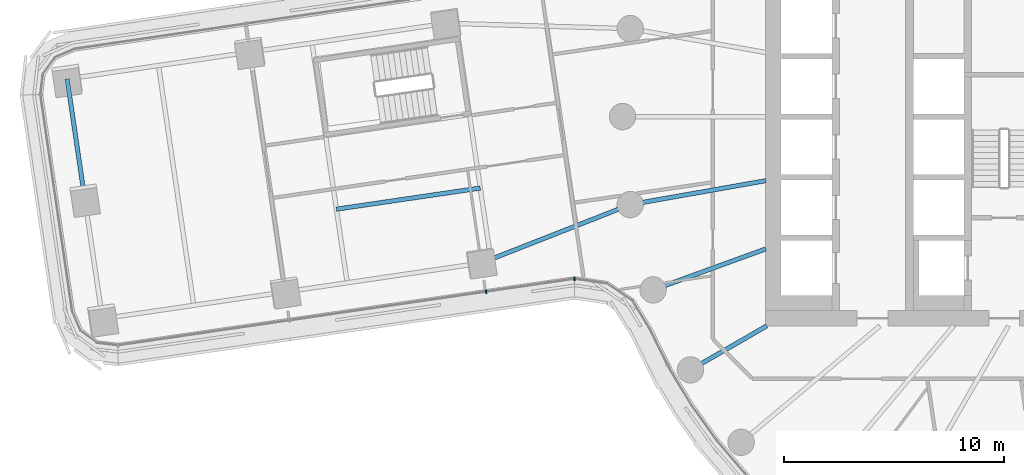
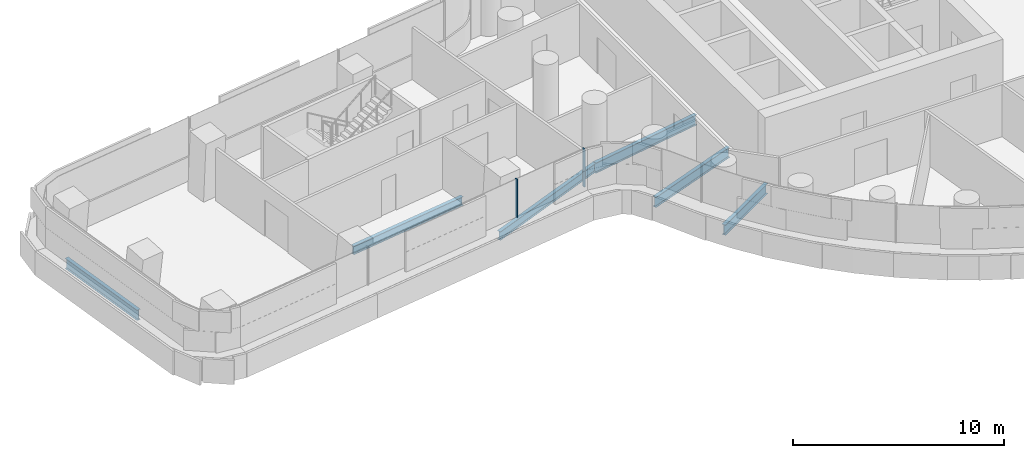
# One storey, part 5 of 31: 6 beams, 2 members, 2 elements without a shape of their own.
"""IFC4 building model written with IfcOpenShell, lengths in metres."""

from ifc_helpers import new_model, si_unit, direction, frame, origin, origin_2d, place, context, subcontext, project, spatial, rectangle, i_section, extrude, material, layer, layer_set, material_profile, profile_set, type_object, element, aggregate, save


model = new_model("IFC4")

# Units and contexts
model_context = context("Model", 3, precision=1e-05, world=origin(), true_north=direction((0.0, 1.0)))
body_context = subcontext(model_context, "Body", "Model", "MODEL_VIEW")
ifc_project = project(units=[si_unit("LENGTHUNIT", "METRE"), si_unit("AREAUNIT", "SQUARE_METRE"), si_unit("VOLUMEUNIT", "CUBIC_METRE"), si_unit("PLANEANGLEUNIT", "RADIAN"), si_unit("MASSUNIT", "GRAM", prefix="KILO")], contexts=[model_context])

# Site, building, storey
site_placement = place(None, origin())
site = spatial("IfcSite", under=ifc_project, at=site_placement, CompositionType="ELEMENT")
building_placement = place(site_placement, origin())
building = spatial("IfcBuilding", under=site, at=building_placement, Name="Tamarind Cross Interchange Tower", CompositionType="ELEMENT")
storey_placement = place(building_placement, frame((0.0, 0.0, 64.0)))
storey = spatial("IfcBuildingStorey", under=building, at=storey_placement, Name="L14", CompositionType="ELEMENT", Elevation=64.0)

# Beams
ifc_material_1 = material(Name="Steel Q355B", Category="steel")
ifc_material_profile_1 = material_profile(ifc_material_1, i_section(OverallWidth=0.198974609375, OverallDepth=0.49609375, WebThickness=0.009033203125, FlangeThickness=0.013916015625, FilletRadius=0.012939453125, at=origin_2d()), Name="HN 496x199x9x14")
ifc_profile_set_1 = profile_set([ifc_material_profile_1], Name="Steel Q355B")
beam_type_1 = type_object("IfcBeamType", Name="Composite beam HN 496x199x9x14 Q355B", PredefinedType="BEAM", material=ifc_profile_set_1)
beam_1_placement = place(storey_placement, frame((-29.412353515625, -6.648193359375, -0.387939453125), z_axis=(0.930849503248, 0.365402794602, 0.0), x_axis=(-0.365402794602, 0.930849503248, 0.0)))
element("IfcBeam", 1, at=beam_1_placement, inside=storey, type_object=beam_type_1, Name="Beam W-linkep", PredefinedType="BEAM", context=body_context, shape_type="SweptSolid", body=[
    extrude(i_section(OverallWidth=0.198974609375, OverallDepth=0.49609375, WebThickness=0.009033203125, FlangeThickness=0.013916015625, FilletRadius=0.012939453125, at=origin_2d()), origin(), (0.0, 0.0, 1.0), 7.263916015625),
])
beam_2_placement = place(storey_placement, frame((-29.457763671875, -3.24365234375, -0.387939453125), z_axis=(-0.989381675612, -0.145340634244, 0.0), x_axis=(0.145340634244, -0.989381675612, 0.0)))
element("IfcBeam", 2, at=beam_2_placement, inside=storey, type_object=beam_type_1, Name="Beam W-stripp", PredefinedType="BEAM", context=body_context, shape_type="SweptSolid", body=[
    extrude(i_section(OverallWidth=0.198974609375, OverallDepth=0.49609375, WebThickness=0.009033203125, FlangeThickness=0.013916015625, FilletRadius=0.012939453125, at=origin_2d()), origin(), (0.0, 0.0, 1.0), 6.599853515625),
])
ifc_material_profile_2 = material_profile(ifc_material_1, i_section(OverallWidth=0.198974609375, OverallDepth=0.595947265625, WebThickness=0.010009765625, FlangeThickness=0.014892578125, FilletRadius=0.012939453125, at=origin_2d()), Name="HN 596x199x10x15")
ifc_profile_set_2 = profile_set([ifc_material_profile_2], Name="Steel Q355B")
beam_type_2 = type_object("IfcBeamType", Name="Composite beam HN 596x199x10x15 Q355B", PredefinedType="BEAM", material=ifc_profile_set_2)
beam_3_placement = place(storey_placement, frame((-22.650634765625, -3.993896484375, -0.43798828125), z_axis=(0.984809127561, 0.173640382036, 0.0), x_axis=(-0.173640382036, 0.984809127561, 0.0)))
element("IfcBeam", 3, at=beam_3_placement, inside=storey, type_object=beam_type_2, Name="Beam HH19", PredefinedType="BEAM", context=body_context, shape_type="SweptSolid", body=[
    extrude(i_section(OverallWidth=0.198974609375, OverallDepth=0.595947265625, WebThickness=0.010009765625, FlangeThickness=0.014892578125, FilletRadius=0.012939453125, at=origin_2d()), origin(), (0.0, 0.0, 1.0), 6.24560546875),
])
beam_4_placement = place(storey_placement, frame((-21.613037109375, -7.866455078125, -0.43798828125), z_axis=(0.939701685589, 0.341995236956, 0.0), x_axis=(-0.341995236956, 0.939701685589, 0.0)))
element("IfcBeam", 4, at=beam_4_placement, inside=storey, type_object=beam_type_2, Name="Beam HH20", PredefinedType="BEAM", context=body_context, shape_type="SweptSolid", body=[
    extrude(i_section(OverallWidth=0.198974609375, OverallDepth=0.595947265625, WebThickness=0.010009765625, FlangeThickness=0.014892578125, FilletRadius=0.012939453125, at=origin_2d()), origin(), (0.0, 0.0, 1.0), 5.441162109375),
])
beam_5_placement = place(storey_placement, frame((-19.918701171875, -11.5, -0.43798828125), z_axis=(0.866026010844, 0.49999894854, 0.0), x_axis=(-0.49999894854, 0.866026010844, 0.0)))
element("IfcBeam", 5, at=beam_5_placement, inside=storey, type_object=beam_type_2, Name="Beam HH21", PredefinedType="BEAM", context=body_context, shape_type="SweptSolid", body=[
    extrude(i_section(OverallWidth=0.198974609375, OverallDepth=0.595947265625, WebThickness=0.010009765625, FlangeThickness=0.014892578125, FilletRadius=0.012939453125, at=origin_2d()), origin(), (0.0, 0.0, 1.0), 4.0),
])
ifc_material_profile_3 = material_profile(ifc_material_1, i_section(OverallWidth=0.199951171875, OverallDepth=0.60009765625, WebThickness=0.010986328125, FlangeThickness=0.01708984375, FilletRadius=0.012939453125, at=origin_2d()), Name="HN 600x200x11x17")
ifc_profile_set_3 = profile_set([ifc_material_profile_3], Name="Steel Q355B")
beam_type_3 = type_object("IfcBeamType", Name="Composite beam HN 600x200x11x17 Q355B", PredefinedType="BEAM", material=ifc_profile_set_3)
beam_6_placement = place(storey_placement, frame((-48.209228515625, 1.708251953125, -0.43994140625), z_axis=(0.145329137033, -0.98938336449, 0.0), x_axis=(0.98938336449, 0.145329137033, 0.0)))
element("IfcBeam", 6, at=beam_6_placement, inside=storey, type_object=beam_type_3, Name="Beam W-tip0", PredefinedType="BEAM", context=body_context, shape_type="SweptSolid", body=[
    extrude(i_section(OverallWidth=0.199951171875, OverallDepth=0.60009765625, WebThickness=0.010986328125, FlangeThickness=0.01708984375, FilletRadius=0.012939453125, at=origin_2d()), origin(), (0.0, 0.0, 1.0), 5.5),
])

# Curtain wall, member
ifc_material_2 = material(Name="Aluminium 6063-T6", Category="aluminium")
ifc_layer = layer(ifc_material_2, 0.159912109375)
ifc_layer_set = layer_set([ifc_layer], Name="Aluminium 6063-T6")
curtain_wall_type = type_object("IfcCurtainWallType", Name="Office curtain wall, 9.0 m bays", PredefinedType="NOTDEFINED", material=ifc_layer_set)
curtain_wall_1_placement = place(storey_placement, origin())
curtain_wall_1 = element("IfcCurtainWall", 7, at=curtain_wall_1_placement, inside=storey, type_object=curtain_wall_type, Name="CWS-L14-01", PredefinedType="NOTDEFINED")
ifc_material_profile_4 = material_profile(ifc_material_2, rectangle(XDim=0.06005859375, YDim=0.159912109375, at=origin_2d()), Name="Mullion CW1")
ifc_profile_set_4 = profile_set([ifc_material_profile_4], Name="Aluminium 6063-T6")
member_type = type_object("IfcMemberType", Name="Mullion CW1", PredefinedType="MULLION", material=ifc_profile_set_4)
member_1_placement = place(storey_placement, frame((-29.19189453125, -7.949951171875, 1.39990234375), z_axis=(0.0, 0.0, 1.0), x_axis=(0.989550497642, 0.144186728298, 0.0)))
member_1 = element("IfcMember", 8, at=member_1_placement, type_object=member_type, Name="CWM-L14-01-02", PredefinedType="MULLION", context=body_context, shape_type="SweptSolid", body=[
    extrude(rectangle(XDim=0.06005859375, YDim=0.159912109375, at=origin_2d()), origin(), (0.0, 0.0, 1.0), 2.210205078125),
])
aggregate(curtain_wall_1, [member_1])

curtain_wall_2_placement = place(storey_placement, origin())
curtain_wall_2 = element("IfcCurtainWall", 9, at=curtain_wall_2_placement, inside=storey, type_object=curtain_wall_type, Name="CWS-L14-02", PredefinedType="NOTDEFINED")
member_2_placement = place(storey_placement, frame((-25.17724609375, -7.364990234375, 1.39990234375), z_axis=(0.0, 0.0, 1.0), x_axis=(0.999999542293, -0.000956772403, 0.0)))
member_2 = element("IfcMember", 10, at=member_2_placement, type_object=member_type, Name="CWM-L14-02-00", PredefinedType="MULLION", context=body_context, shape_type="SweptSolid", body=[
    extrude(rectangle(XDim=0.06005859375, YDim=0.159912109375, at=origin_2d()), origin(), (0.0, 0.0, 1.0), 2.210205078125),
])
aggregate(curtain_wall_2, [member_2])

save(model, "model.ifc")
